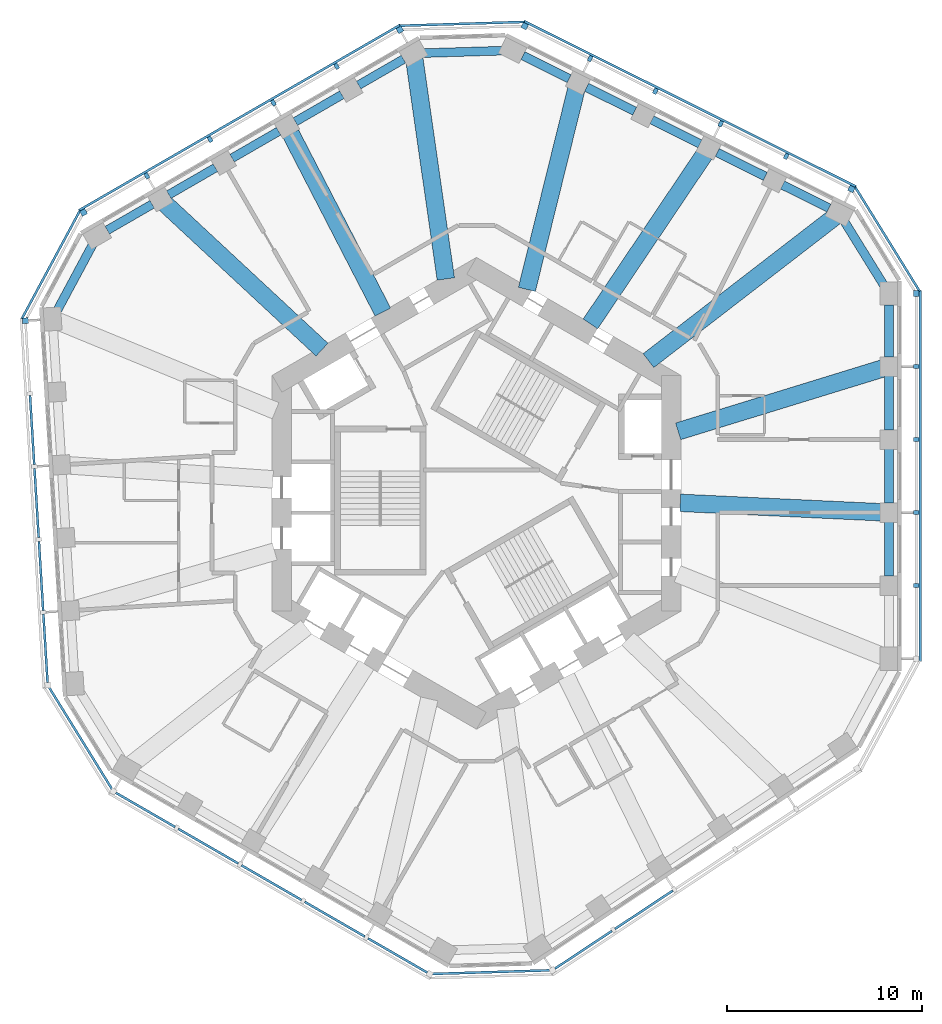
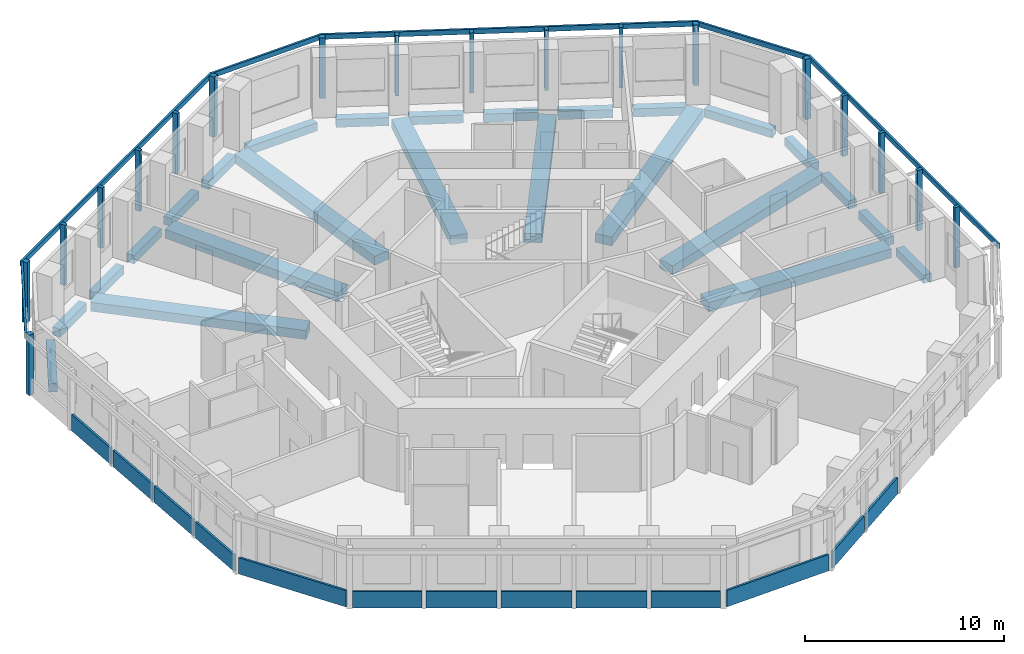
# One storey, part 2 of 11: 25 beams, 24 members, 13 plates, 11 elements without a shape of their own.
"""IFC4 building model written with IfcOpenShell, lengths in metres."""

from ifc_helpers import new_model, si_unit, direction, frame, origin, origin_2d, place, context, subcontext, project, spatial, rectangle, extrude, material, layer, layer_set, material_profile, profile_set, type_object, element, aggregate, save


model = new_model("IFC4")

# Units and contexts
model_context = context("Model", 3, precision=1e-05, world=origin(), true_north=direction((0.0, 1.0)))
body_context = subcontext(model_context, "Body", "Model", "MODEL_VIEW")
ifc_project = project(units=[si_unit("LENGTHUNIT", "METRE"), si_unit("AREAUNIT", "SQUARE_METRE"), si_unit("VOLUMEUNIT", "CUBIC_METRE"), si_unit("PLANEANGLEUNIT", "RADIAN"), si_unit("MASSUNIT", "GRAM", prefix="KILO")], contexts=[model_context])

# Site, building, storey
site_placement = place(None, origin())
site = spatial("IfcSite", under=ifc_project, at=site_placement, CompositionType="ELEMENT")
building_placement = place(site_placement, origin())
building = spatial("IfcBuilding", under=site, at=building_placement, Name="Vanh Sen Convention Tower", CompositionType="ELEMENT")
storey_placement = place(building_placement, frame((0.0, 0.0, 172.5)))
storey = spatial("IfcBuildingStorey", under=building, at=storey_placement, Name="L42", CompositionType="ELEMENT", Elevation=172.5)

# Curtain wall, member
ifc_material_1 = material(Name="Concrete C50/60", Category="concrete")
curtain_wall_type = type_object("IfcCurtainWallType", Name="Outer skin office zone", PredefinedType="NOTDEFINED", material=ifc_material_1)
curtain_wall_1_placement = place(storey_placement, origin())
curtain_wall_1 = element("IfcCurtainWall", 1, at=curtain_wall_1_placement, inside=storey, type_object=curtain_wall_type, Name="OUTER SKIN E L42", PredefinedType="NOTDEFINED")
ifc_material_profile_1 = material_profile(ifc_material_1, rectangle(XDim=0.300048828125, YDim=0.300048828125, at=origin_2d()), Name="Outer skin precast corner fin 300 x 300")
ifc_profile_set_1 = profile_set([ifc_material_profile_1], Name="Concrete C50/60")
member_type_1 = type_object("IfcMemberType", Name="Outer skin precast corner fin 300 x 300", PredefinedType="MULLION", material=ifc_profile_set_1)
member_1_placement = place(storey_placement, frame((22.60009765625, 10.26953125, 0.0), z_axis=(0.0, 0.0, 1.0), x_axis=(0.0, 1.0, 0.0)))
member_1 = element("IfcMember", 2, at=member_1_placement, type_object=member_type_1, Name="OUTER SKIN CORNER FIN 6 E L42", PredefinedType="MULLION", context=body_context, shape_type="SweptSolid", body=[
    extrude(rectangle(XDim=0.300048828125, YDim=0.300048828125, at=origin_2d()), origin(), (0.0, 0.0, 1.0), 3.699951171875),
])

# Curtain wall, members
curtain_wall_2_placement = place(storey_placement, origin())
curtain_wall_2 = element("IfcCurtainWall", 3, at=curtain_wall_2_placement, inside=storey, type_object=curtain_wall_type, Name="OUTER SKIN NE L42", PredefinedType="NOTDEFINED")
member_2_placement = place(storey_placement, frame((19.274658203125, 15.643310546875, 0.0), z_axis=(0.0, 0.0, 1.0), x_axis=(-0.894934361602, 0.44619781311, 0.0)))
member_2 = element("IfcMember", 4, at=member_2_placement, type_object=member_type_1, Name="OUTER SKIN CORNER FIN 1 NE L42", PredefinedType="MULLION", context=body_context, shape_type="SweptSolid", body=[
    extrude(rectangle(XDim=0.300048828125, YDim=0.300048828125, at=origin_2d()), origin(), (0.0, 0.0, 1.0), 3.699951171875),
])
member_3_placement = place(storey_placement, frame((2.476318359375, 24.0185546875, 0.0), z_axis=(0.0, 0.0, 1.0), x_axis=(-0.894934361602, 0.44619781311, 0.0)))
member_3 = element("IfcMember", 5, at=member_3_placement, type_object=member_type_1, Name="OUTER SKIN CORNER FIN 6 NE L42", PredefinedType="MULLION", context=body_context, shape_type="SweptSolid", body=[
    extrude(rectangle(XDim=0.300048828125, YDim=0.300048828125, at=origin_2d()), origin(), (0.0, 0.0, 1.0), 3.699951171875),
])

curtain_wall_3_placement = place(storey_placement, origin())
curtain_wall_3 = element("IfcCurtainWall", 6, at=curtain_wall_3_placement, inside=storey, type_object=curtain_wall_type, Name="OUTER SKIN NW L42", PredefinedType="NOTDEFINED")
member_4_placement = place(storey_placement, frame((-3.93798828125, 23.822509765625, 0.0), z_axis=(0.0, 0.0, 1.0), x_axis=(-0.866025403784, -0.5, 0.0)))
member_4 = element("IfcMember", 7, at=member_4_placement, type_object=member_type_1, Name="OUTER SKIN CORNER FIN 1 NW L42", PredefinedType="MULLION", context=body_context, shape_type="SweptSolid", body=[
    extrude(rectangle(XDim=0.300048828125, YDim=0.300048828125, at=origin_2d()), origin(), (0.0, 0.0, 1.0), 3.699951171875),
])
member_5_placement = place(storey_placement, frame((-20.193603515625, 14.4375, 0.0), z_axis=(0.0, 0.0, 1.0), x_axis=(-0.866025403784, -0.5, 0.0)))
member_5 = element("IfcMember", 8, at=member_5_placement, type_object=member_type_1, Name="OUTER SKIN CORNER FIN 6 NW L42", PredefinedType="MULLION", context=body_context, shape_type="SweptSolid", body=[
    extrude(rectangle(XDim=0.300048828125, YDim=0.300048828125, at=origin_2d()), origin(), (0.0, 0.0, 1.0), 3.699951171875),
])

# Curtain wall, member
curtain_wall_4_placement = place(storey_placement, origin())
curtain_wall_4 = element("IfcCurtainWall", 9, at=curtain_wall_4_placement, inside=storey, type_object=curtain_wall_type, Name="OUTER SKIN W L42", PredefinedType="NOTDEFINED")
member_6_placement = place(storey_placement, frame((-23.184814453125, 8.87060546875, 0.0), z_axis=(0.0, 0.0, 1.0), x_axis=(0.061048539535, -0.998134798422, 0.0)))
member_6 = element("IfcMember", 10, at=member_6_placement, type_object=member_type_1, Name="OUTER SKIN CORNER FIN 1 W L42", PredefinedType="MULLION", context=body_context, shape_type="SweptSolid", body=[
    extrude(rectangle(XDim=0.300048828125, YDim=0.300048828125, at=origin_2d()), origin(), (0.0, 0.0, 1.0), 3.699951171875),
])

# Member
ifc_material_profile_2 = material_profile(ifc_material_1, rectangle(XDim=0.199951171875, YDim=0.300048828125, at=origin_2d()), Name="Outer skin precast fin 200 x 300")
ifc_profile_set_2 = profile_set([ifc_material_profile_2], Name="Concrete C50/60")
member_type_2 = type_object("IfcMemberType", Name="Outer skin precast fin 200 x 300", PredefinedType="MULLION", material=ifc_profile_set_2)
member_7_placement = place(storey_placement, frame((22.60009765625, -4.746826171875, 0.0), z_axis=(0.0, 0.0, 1.0), x_axis=(0.0, 1.0, 0.0)))
member_7 = element("IfcMember", 11, at=member_7_placement, type_object=member_type_2, Name="OUTER SKIN fin 2 E L42", PredefinedType="MULLION", context=body_context, shape_type="SweptSolid", body=[
    extrude(rectangle(XDim=0.199951171875, YDim=0.300048828125, at=origin_2d()), origin(), (0.0, 0.0, 1.0), 3.699951171875),
])

member_8_placement = place(storey_placement, frame((22.60009765625, -0.992919921875, 0.0), z_axis=(0.0, 0.0, 1.0), x_axis=(0.0, 1.0, 0.0)))
member_8 = element("IfcMember", 12, at=member_8_placement, type_object=member_type_2, Name="OUTER SKIN fin 3 E L42", PredefinedType="MULLION", context=body_context, shape_type="SweptSolid", body=[
    extrude(rectangle(XDim=0.199951171875, YDim=0.300048828125, at=origin_2d()), origin(), (0.0, 0.0, 1.0), 3.699951171875),
])

member_9_placement = place(storey_placement, frame((22.60009765625, 2.76123046875, 0.0), z_axis=(0.0, 0.0, 1.0), x_axis=(0.0, 1.0, 0.0)))
member_9 = element("IfcMember", 13, at=member_9_placement, type_object=member_type_2, Name="OUTER SKIN fin 4 E L42", PredefinedType="MULLION", context=body_context, shape_type="SweptSolid", body=[
    extrude(rectangle(XDim=0.199951171875, YDim=0.300048828125, at=origin_2d()), origin(), (0.0, 0.0, 1.0), 3.699951171875),
])

member_10_placement = place(storey_placement, frame((22.60009765625, 6.515380859375, 0.0), z_axis=(0.0, 0.0, 1.0), x_axis=(0.0, 1.0, 0.0)))
member_10 = element("IfcMember", 14, at=member_10_placement, type_object=member_type_2, Name="OUTER SKIN fin 5 E L42", PredefinedType="MULLION", context=body_context, shape_type="SweptSolid", body=[
    extrude(rectangle(XDim=0.199951171875, YDim=0.300048828125, at=origin_2d()), origin(), (0.0, 0.0, 1.0), 3.699951171875),
])

member_11_placement = place(storey_placement, frame((15.9150390625, 17.318359375, 0.0), z_axis=(0.0, 0.0, 1.0), x_axis=(-0.894934361602, 0.44619781311, 0.0)))
member_11 = element("IfcMember", 15, at=member_11_placement, type_object=member_type_2, Name="OUTER SKIN fin 2 NE L42", PredefinedType="MULLION", context=body_context, shape_type="SweptSolid", body=[
    extrude(rectangle(XDim=0.199951171875, YDim=0.300048828125, at=origin_2d()), origin(), (0.0, 0.0, 1.0), 3.699951171875),
])

member_12_placement = place(storey_placement, frame((12.555419921875, 18.993408203125, 0.0), z_axis=(0.0, 0.0, 1.0), x_axis=(-0.894934361602, 0.44619781311, 0.0)))
member_12 = element("IfcMember", 16, at=member_12_placement, type_object=member_type_2, Name="OUTER SKIN fin 3 NE L42", PredefinedType="MULLION", context=body_context, shape_type="SweptSolid", body=[
    extrude(rectangle(XDim=0.199951171875, YDim=0.300048828125, at=origin_2d()), origin(), (0.0, 0.0, 1.0), 3.699951171875),
])

member_13_placement = place(storey_placement, frame((9.195556640625, 20.66845703125, 0.0), z_axis=(0.0, 0.0, 1.0), x_axis=(-0.894934361602, 0.44619781311, 0.0)))
member_13 = element("IfcMember", 17, at=member_13_placement, type_object=member_type_2, Name="OUTER SKIN fin 4 NE L42", PredefinedType="MULLION", context=body_context, shape_type="SweptSolid", body=[
    extrude(rectangle(XDim=0.199951171875, YDim=0.300048828125, at=origin_2d()), origin(), (0.0, 0.0, 1.0), 3.699951171875),
])

member_14_placement = place(storey_placement, frame((5.8359375, 22.343505859375, 0.0), z_axis=(0.0, 0.0, 1.0), x_axis=(-0.894934361602, 0.44619781311, 0.0)))
member_14 = element("IfcMember", 18, at=member_14_placement, type_object=member_type_2, Name="OUTER SKIN fin 5 NE L42", PredefinedType="MULLION", context=body_context, shape_type="SweptSolid", body=[
    extrude(rectangle(XDim=0.199951171875, YDim=0.300048828125, at=origin_2d()), origin(), (0.0, 0.0, 1.0), 3.699951171875),
])

member_15_placement = place(storey_placement, frame((-7.189208984375, 21.945556640625, 0.0), z_axis=(0.0, 0.0, 1.0), x_axis=(-0.866025403784, -0.5, 0.0)))
member_15 = element("IfcMember", 19, at=member_15_placement, type_object=member_type_2, Name="OUTER SKIN fin 2 NW L42", PredefinedType="MULLION", context=body_context, shape_type="SweptSolid", body=[
    extrude(rectangle(XDim=0.199951171875, YDim=0.300048828125, at=origin_2d()), origin(), (0.0, 0.0, 1.0), 3.699951171875),
])

member_16_placement = place(storey_placement, frame((-10.440185546875, 20.068603515625, 0.0), z_axis=(0.0, 0.0, 1.0), x_axis=(-0.866025403784, -0.5, 0.0)))
member_16 = element("IfcMember", 20, at=member_16_placement, type_object=member_type_2, Name="OUTER SKIN fin 3 NW L42", PredefinedType="MULLION", context=body_context, shape_type="SweptSolid", body=[
    extrude(rectangle(XDim=0.199951171875, YDim=0.300048828125, at=origin_2d()), origin(), (0.0, 0.0, 1.0), 3.699951171875),
])

member_17_placement = place(storey_placement, frame((-13.69140625, 18.19140625, 0.0), z_axis=(0.0, 0.0, 1.0), x_axis=(-0.866025403784, -0.5, 0.0)))
member_17 = element("IfcMember", 21, at=member_17_placement, type_object=member_type_2, Name="OUTER SKIN fin 4 NW L42", PredefinedType="MULLION", context=body_context, shape_type="SweptSolid", body=[
    extrude(rectangle(XDim=0.199951171875, YDim=0.300048828125, at=origin_2d()), origin(), (0.0, 0.0, 1.0), 3.699951171875),
])

member_18_placement = place(storey_placement, frame((-16.9423828125, 16.314453125, 0.0), z_axis=(0.0, 0.0, 1.0), x_axis=(-0.866025403784, -0.5, 0.0)))
member_18 = element("IfcMember", 22, at=member_18_placement, type_object=member_type_2, Name="OUTER SKIN fin 5 NW L42", PredefinedType="MULLION", context=body_context, shape_type="SweptSolid", body=[
    extrude(rectangle(XDim=0.199951171875, YDim=0.300048828125, at=origin_2d()), origin(), (0.0, 0.0, 1.0), 3.699951171875),
])

ifc_material_profile_3 = material_profile(ifc_material_1, rectangle(XDim=0.1201171875, YDim=0.300048828125, at=origin_2d()), Name="Outer skin precast spandrel band 300 x 120")
ifc_profile_set_3 = profile_set([ifc_material_profile_3], Name="Concrete C50/60")
member_type_3 = type_object("IfcMemberType", Name="Outer skin precast spandrel band 300 x 120", PredefinedType="USERDEFINED", material=ifc_profile_set_3)
member_19_placement = place(storey_placement, frame((22.81005859375, -8.65087890625, 3.550048828125), z_axis=(0.0, 1.0, 0.0), x_axis=(-1.0, 0.0, 0.0)))
member_19 = element("IfcMember", 23, at=member_19_placement, type_object=member_type_3, Name="OUTER SKIN spandrel band E L42", ObjectType="TRANSOM", PredefinedType="USERDEFINED", context=body_context, shape_type="SweptSolid", body=[
    extrude(rectangle(XDim=0.1201171875, YDim=0.300048828125, at=origin_2d()), origin(), (0.0, 0.0, 1.0), 19.0703125),
])

aggregate(curtain_wall_1, [member_7, member_8, member_9, member_10, member_1, member_19])

# Curtain wall, member
curtain_wall_5_placement = place(storey_placement, origin())
curtain_wall_5 = element("IfcCurtainWall", 24, at=curtain_wall_5_placement, inside=storey, type_object=curtain_wall_type, Name="OUTER SKIN CH1 L42", PredefinedType="NOTDEFINED")
member_20_placement = place(storey_placement, frame((22.778564453125, 10.3798828125, 3.550048828125), z_axis=(-0.526173726926, 0.850377098171, 0.0), x_axis=(-0.850377098171, -0.526173726926, 0.0)))
member_20 = element("IfcMember", 25, at=member_20_placement, type_object=member_type_3, Name="OUTER SKIN spandrel band CH1 L42", ObjectType="TRANSOM", PredefinedType="USERDEFINED", context=body_context, shape_type="SweptSolid", body=[
    extrude(rectangle(XDim=0.1201171875, YDim=0.300048828125, at=origin_2d()), origin(), (0.0, 0.0, 1.0), 6.319580078125),
])
aggregate(curtain_wall_5, [member_20])

# Member
member_21_placement = place(storey_placement, frame((19.502685546875, 15.764404296875, 3.550048828125), z_axis=(-0.894941234474, 0.446184027996, 0.0), x_axis=(-0.446184027996, -0.894941234474, 0.0)))
member_21 = element("IfcMember", 26, at=member_21_placement, type_object=member_type_3, Name="OUTER SKIN spandrel band NE L42", ObjectType="TRANSOM", PredefinedType="USERDEFINED", context=body_context, shape_type="SweptSolid", body=[
    extrude(rectangle(XDim=0.1201171875, YDim=0.300048828125, at=origin_2d()), origin(), (0.0, 0.0, 1.0), 19.07080078125),
])

aggregate(curtain_wall_2, [member_2, member_11, member_12, member_13, member_14, member_3, member_21])

# Curtain wall, member
curtain_wall_6_placement = place(storey_placement, origin())
curtain_wall_6 = element("IfcCurtainWall", 27, at=curtain_wall_6_placement, inside=storey, type_object=curtain_wall_type, Name="OUTER SKIN CH2 L42", PredefinedType="NOTDEFINED")
member_22_placement = place(storey_placement, frame((2.4697265625, 24.228515625, 3.550048828125), z_axis=(-0.999533221695, -0.030550592913, 0.0), x_axis=(0.030550592913, -0.999533221695, 0.0)))
member_22 = element("IfcMember", 28, at=member_22_placement, type_object=member_type_3, Name="OUTER SKIN spandrel band CH2 L42", ObjectType="TRANSOM", PredefinedType="USERDEFINED", context=body_context, shape_type="SweptSolid", body=[
    extrude(rectangle(XDim=0.1201171875, YDim=0.300048828125, at=origin_2d()), origin(), (0.0, 0.0, 1.0), 6.4169921875),
])
aggregate(curtain_wall_6, [member_22])

# Member
member_23_placement = place(storey_placement, frame((-3.9130859375, 24.07958984375, 3.550048828125), z_axis=(-0.866023136587, -0.500003926881, 0.0), x_axis=(0.500003926881, -0.866023136587, 0.0)))
member_23 = element("IfcMember", 29, at=member_23_placement, type_object=member_type_3, Name="OUTER SKIN spandrel band NW L42", ObjectType="TRANSOM", PredefinedType="USERDEFINED", context=body_context, shape_type="SweptSolid", body=[
    extrude(rectangle(XDim=0.1201171875, YDim=0.300048828125, at=origin_2d()), origin(), (0.0, 0.0, 1.0), 19.070556640625),
])

aggregate(curtain_wall_3, [member_4, member_15, member_16, member_17, member_18, member_5, member_23])

# Curtain wall, member
curtain_wall_7_placement = place(storey_placement, origin())
curtain_wall_7 = element("IfcCurtainWall", 30, at=curtain_wall_7_placement, inside=storey, type_object=curtain_wall_type, Name="OUTER SKIN CH3 L42", PredefinedType="NOTDEFINED")
member_24_placement = place(storey_placement, frame((-20.378662109375, 14.536865234375, 3.550048828125), z_axis=(-0.47333707755, -0.880881383057, 0.0), x_axis=(0.880881383057, -0.47333707755, 0.0)))
member_24 = element("IfcMember", 31, at=member_24_placement, type_object=member_type_3, Name="OUTER SKIN spandrel band CH3 L42", ObjectType="TRANSOM", PredefinedType="USERDEFINED", context=body_context, shape_type="SweptSolid", body=[
    extrude(rectangle(XDim=0.1201171875, YDim=0.300048828125, at=origin_2d()), origin(), (0.0, 0.0, 1.0), 6.3193359375),
])
aggregate(curtain_wall_7, [member_24])

# Beams
ifc_material_2 = material(Name="Concrete C50/60", Category="concrete")
ifc_material_profile_4 = material_profile(ifc_material_2, rectangle(XDim=0.89990234375, YDim=0.550048828125, at=origin_2d()), Name="RC 900X550")
ifc_profile_set_4 = profile_set([ifc_material_profile_4], Name="Concrete C50/60")
beam_type_1 = type_object("IfcBeamType", Name="Radial floor beam 900 x 550", PredefinedType="BEAM", material=ifc_profile_set_4)
beam_1_placement = place(storey_placement, frame((20.77587890625, -0.972900390625, -0.554931640625), z_axis=(-0.998905318596, 0.046777820399, 0.0), x_axis=(-0.046777820399, -0.998905318596, 0.0)))
element("IfcBeam", 32, at=beam_1_placement, inside=storey, type_object=beam_type_1, Name="Radial beam 02 L42", PredefinedType="BEAM", context=body_context, shape_type="SweptSolid", body=[
    extrude(rectangle(XDim=0.89990234375, YDim=0.550048828125, at=origin_2d()), origin(), (0.0, 0.0, 1.0), 10.31298828125),
])
beam_2_placement = place(storey_placement, frame((20.9775390625, 6.447021484375, -0.554931640625), z_axis=(-0.955874982074, -0.29377375418, 0.0), x_axis=(0.29377375418, -0.955874982074, 0.0)))
element("IfcBeam", 33, at=beam_2_placement, inside=storey, type_object=beam_type_1, Name="Radial beam 03 L42", PredefinedType="BEAM", context=body_context, shape_type="SweptSolid", body=[
    extrude(rectangle(XDim=0.89990234375, YDim=0.550048828125, at=origin_2d()), origin(), (0.0, 0.0, 1.0), 11.1044921875),
])
beam_3_placement = place(storey_placement, frame((18.4306640625, 14.22119140625, -0.554931640625), z_axis=(-0.791711533114, -0.610895120568, 0.0), x_axis=(0.610895120568, -0.791711533114, 0.0)))
element("IfcBeam", 34, at=beam_3_placement, inside=storey, type_object=beam_type_1, Name="Radial beam 04 L42", PredefinedType="BEAM", context=body_context, shape_type="SweptSolid", body=[
    extrude(rectangle(XDim=0.89990234375, YDim=0.550048828125, at=origin_2d()), origin(), (0.0, 0.0, 1.0), 12.11669921875),
])
beam_4_placement = place(storey_placement, frame((11.712890625, 17.416748046875, -0.554931640625), z_axis=(-0.558049212229, -0.829807855308, 0.0), x_axis=(0.829807855308, -0.558049212229, 0.0)))
element("IfcBeam", 35, at=beam_4_placement, inside=storey, type_object=beam_type_1, Name="Radial beam 05 L42", PredefinedType="BEAM", context=body_context, shape_type="SweptSolid", body=[
    extrude(rectangle(XDim=0.89990234375, YDim=0.550048828125, at=origin_2d()), origin(), (0.0, 0.0, 1.0), 10.500244140625),
])
beam_5_placement = place(storey_placement, frame((5.1455078125, 20.824951171875, -0.554931640625), z_axis=(-0.239866381143, -0.970805912218, 0.0), x_axis=(0.970805912218, -0.239866381143, 0.0)))
element("IfcBeam", 36, at=beam_5_placement, inside=storey, type_object=beam_type_1, Name="Radial beam 06 L42", PredefinedType="BEAM", context=body_context, shape_type="SweptSolid", body=[
    extrude(rectangle(XDim=0.89990234375, YDim=0.550048828125, at=origin_2d()), origin(), (0.0, 0.0, 1.0), 10.656494140625),
])
beam_6_placement = place(storey_placement, frame((-3.195556640625, 22.31396484375, -0.554931640625), z_axis=(0.141765709165, -0.989900239269, 0.0), x_axis=(0.989900239269, 0.141765709165, 0.0)))
element("IfcBeam", 37, at=beam_6_placement, inside=storey, type_object=beam_type_1, Name="Radial beam 07 L42", PredefinedType="BEAM", context=body_context, shape_type="SweptSolid", body=[
    extrude(rectangle(XDim=0.89990234375, YDim=0.550048828125, at=origin_2d()), origin(), (0.0, 0.0, 1.0), 11.414306640625),
])
beam_7_placement = place(storey_placement, frame((-9.54541015625, 18.47900390625, -0.554931640625), z_axis=(0.458935346364, -0.888469666257, 0.0), x_axis=(0.888469666257, 0.458935346364, 0.0)))
element("IfcBeam", 38, at=beam_7_placement, inside=storey, type_object=beam_type_1, Name="Radial beam 08 L42", PredefinedType="BEAM", context=body_context, shape_type="SweptSolid", body=[
    extrude(rectangle(XDim=0.89990234375, YDim=0.550048828125, at=origin_2d()), origin(), (0.0, 0.0, 1.0), 10.313232421875),
])
beam_8_placement = place(storey_placement, frame((-16.072021484375, 14.943603515625, -0.554931640625), z_axis=(0.732340727094, -0.680938366843, 0.0), x_axis=(0.680938366843, 0.732340727094, 0.0)))
element("IfcBeam", 39, at=beam_8_placement, inside=storey, type_object=beam_type_1, Name="Radial beam 09 L42", PredefinedType="BEAM", context=body_context, shape_type="SweptSolid", body=[
    extrude(rectangle(XDim=0.89990234375, YDim=0.550048828125, at=origin_2d()), origin(), (0.0, 0.0, 1.0), 11.1044921875),
])
ifc_material_profile_5 = material_profile(ifc_material_2, rectangle(XDim=0.449951171875, YDim=0.5, at=origin_2d()), Name="RC 450X500")
ifc_profile_set_5 = profile_set([ifc_material_profile_5], Name="Concrete C50/60")
beam_type_2 = type_object("IfcBeamType", Name="Spandrel beam 450 x 500", PredefinedType="SPANDREL", material=ifc_profile_set_5)
for number, where, z_axis, x_axis, name in (
    (40, (21.199951171875, -4.251953125, -0.530029296875), (0.0, 1.0, 0.0), (-1.0, 0.0, 0.0), "Spandrel beam 02 L42"),
    (41, (21.199951171875, -0.497802734375, -0.530029296875), (0.0, 1.0, 0.0), (-1.0, 0.0, 0.0), "Spandrel beam 03 L42"),
    (42, (21.199951171875, 3.25634765625, -0.530029296875), (0.0, 1.0, 0.0), (-1.0, 0.0, 0.0), "Spandrel beam 04 L42"),
):
    element("IfcBeam", number, at=place(storey_placement, frame(where, z_axis=z_axis, x_axis=x_axis)), inside=storey, type_object=beam_type_2, Name=name, PredefinedType="SPANDREL", context=body_context, shape_type="SweptSolid", body=[
        extrude(rectangle(XDim=0.449951171875, YDim=0.5, at=origin_2d()), origin(), (0.0, 0.0, 1.0), 2.76416015625),
    ])
beam_9_placement = place(storey_placement, frame((21.199951171875, 7.010498046875, -0.530029296875), z_axis=(0.0, 1.0, 0.0), x_axis=(-1.0, 0.0, 0.0)))
element("IfcBeam", 43, at=beam_9_placement, inside=storey, type_object=beam_type_2, Name="Spandrel beam 05 L42", PredefinedType="SPANDREL", context=body_context, shape_type="SweptSolid", body=[
    extrude(rectangle(XDim=0.449951171875, YDim=0.5, at=origin_2d()), origin(), (0.0, 0.0, 1.0), 2.6640625),
])
beam_10_placement = place(storey_placement, frame((20.944091796875, 10.683349609375, -0.530029296875), z_axis=(-0.526220063476, 0.850348425526, 0.0), x_axis=(-0.850348425526, -0.526220063476, 0.0)))
element("IfcBeam", 44, at=beam_10_placement, inside=storey, type_object=beam_type_2, Name="Spandrel beam 06 L42", PredefinedType="SPANDREL", context=body_context, shape_type="SweptSolid", body=[
    extrude(rectangle(XDim=0.449951171875, YDim=0.5, at=origin_2d()), origin(), (0.0, 0.0, 1.0), 3.873046875),
])
beam_11_placement = place(storey_placement, frame((18.117431640625, 14.656005859375, -0.530029296875), z_axis=(-0.894958126718, 0.446150144482, 0.0), x_axis=(-0.446150144482, -0.894958126718, 0.0)))
element("IfcBeam", 45, at=beam_11_placement, inside=storey, type_object=beam_type_2, Name="Spandrel beam 07 L42", PredefinedType="SPANDREL", context=body_context, shape_type="SweptSolid", body=[
    extrude(rectangle(XDim=0.449951171875, YDim=0.5, at=origin_2d()), origin(), (0.0, 0.0, 1.0), 2.663818359375),
])
beam_12_placement = place(storey_placement, frame((14.847412109375, 16.286376953125, -0.530029296875), z_axis=(-0.894974121341, 0.446118058511, 0.0), x_axis=(-0.446118058511, -0.894974121341, 0.0)))
element("IfcBeam", 46, at=beam_12_placement, inside=storey, type_object=beam_type_2, Name="Spandrel beam 08 L42", PredefinedType="SPANDREL", context=body_context, shape_type="SweptSolid", body=[
    extrude(rectangle(XDim=0.449951171875, YDim=0.5, at=origin_2d()), origin(), (0.0, 0.0, 1.0), 2.76416015625),
])
beam_13_placement = place(storey_placement, frame((11.487548828125, 17.96142578125, -0.530029296875), z_axis=(-0.894956541152, 0.446153325045, 0.0), x_axis=(-0.446153325045, -0.894956541152, 0.0)))
element("IfcBeam", 47, at=beam_13_placement, inside=storey, type_object=beam_type_2, Name="Spandrel beam 09 L42", PredefinedType="SPANDREL", context=body_context, shape_type="SweptSolid", body=[
    extrude(rectangle(XDim=0.449951171875, YDim=0.5, at=origin_2d()), origin(), (0.0, 0.0, 1.0), 2.763916015625),
])
beam_14_placement = place(storey_placement, frame((8.1279296875, 19.636474609375, -0.530029296875), z_axis=(-0.89492127077, 0.446224068292, 0.0), x_axis=(-0.446224068292, -0.89492127077, 0.0)))
element("IfcBeam", 48, at=beam_14_placement, inside=storey, type_object=beam_type_2, Name="Spandrel beam 10 L42", PredefinedType="SPANDREL", context=body_context, shape_type="SweptSolid", body=[
    extrude(rectangle(XDim=0.449951171875, YDim=0.5, at=origin_2d()), origin(), (0.0, 0.0, 1.0), 2.76416015625),
])
beam_15_placement = place(storey_placement, frame((4.768310546875, 21.3115234375, -0.530029296875), z_axis=(-0.894939776695, 0.446186951948, 0.0), x_axis=(-0.446186951948, -0.894939776695, 0.0)))
element("IfcBeam", 49, at=beam_15_placement, inside=storey, type_object=beam_type_2, Name="Spandrel beam 11 L42", PredefinedType="SPANDREL", context=body_context, shape_type="SweptSolid", body=[
    extrude(rectangle(XDim=0.449951171875, YDim=0.5, at=origin_2d()), origin(), (0.0, 0.0, 1.0), 2.6640625),
])
beam_16_placement = place(storey_placement, frame((1.32470703125, 22.74951171875, -0.530029296875), z_axis=(-0.999533715833, -0.030534421783, 0.0), x_axis=(0.030534421783, -0.999533715833, 0.0)))
element("IfcBeam", 50, at=beam_16_placement, inside=storey, type_object=beam_type_2, Name="Spandrel beam 12 L42", PredefinedType="SPANDREL", context=body_context, shape_type="SweptSolid", body=[
    extrude(rectangle(XDim=0.449951171875, YDim=0.5, at=origin_2d()), origin(), (0.0, 0.0, 1.0), 4.037841796875),
])
beam_17_placement = place(storey_placement, frame((-3.753173828125, 22.312744140625, -0.530029296875), z_axis=(-0.866023818221, -0.500002746266, 0.0), x_axis=(0.500002746266, -0.866023818221, 0.0)))
element("IfcBeam", 51, at=beam_17_placement, inside=storey, type_object=beam_type_2, Name="Spandrel beam 13 L42", PredefinedType="SPANDREL", context=body_context, shape_type="SweptSolid", body=[
    extrude(rectangle(XDim=0.449951171875, YDim=0.5, at=origin_2d()), origin(), (0.0, 0.0, 1.0), 2.6640625),
])
for number, where, z_axis, x_axis, name in (
    (52, (-6.917724609375, 20.485595703125, -0.530029296875), (-0.866022320763, -0.500005339912, 0.0), (0.500005339912, -0.866022320763, 0.0), "Spandrel beam 14 L42"),
    (53, (-10.1689453125, 18.608642578125, -0.530029296875), (-0.866022320763, -0.500005339912, 0.0), (0.500005339912, -0.866022320763, 0.0), "Spandrel beam 15 L42"),
):
    element("IfcBeam", number, at=place(storey_placement, frame(where, z_axis=z_axis, x_axis=x_axis)), inside=storey, type_object=beam_type_2, Name=name, PredefinedType="SPANDREL", context=body_context, shape_type="SweptSolid", body=[
        extrude(rectangle(XDim=0.449951171875, YDim=0.5, at=origin_2d()), origin(), (0.0, 0.0, 1.0), 2.76416015625),
    ])
beam_18_placement = place(storey_placement, frame((-13.420166015625, 16.731689453125, -0.530029296875), z_axis=(-0.866000236617, -0.500043588279, 0.0), x_axis=(0.500043588279, -0.866000236617, 0.0)))
element("IfcBeam", 54, at=beam_18_placement, inside=storey, type_object=beam_type_2, Name="Spandrel beam 16 L42", PredefinedType="SPANDREL", context=body_context, shape_type="SweptSolid", body=[
    extrude(rectangle(XDim=0.449951171875, YDim=0.5, at=origin_2d()), origin(), (0.0, 0.0, 1.0), 2.763916015625),
])
beam_19_placement = place(storey_placement, frame((-16.671142578125, 14.8544921875, -0.530029296875), z_axis=(-0.866046726429, -0.499963066278, 0.0), x_axis=(0.499963066278, -0.866046726429, 0.0)))
element("IfcBeam", 55, at=beam_19_placement, inside=storey, type_object=beam_type_2, Name="Spandrel beam 17 L42", PredefinedType="SPANDREL", context=body_context, shape_type="SweptSolid", body=[
    extrude(rectangle(XDim=0.449951171875, YDim=0.5, at=origin_2d()), origin(), (0.0, 0.0, 1.0), 2.664306640625),
])
beam_20_placement = place(storey_placement, frame((-19.72412109375, 12.79638671875, -0.530029296875), z_axis=(-0.473295157781, -0.880903907144, 0.0), x_axis=(0.880903907144, -0.473295157781, 0.0)))
element("IfcBeam", 56, at=beam_20_placement, inside=storey, type_object=beam_type_2, Name="Spandrel beam 18 L42", PredefinedType="SPANDREL", context=body_context, shape_type="SweptSolid", body=[
    extrude(rectangle(XDim=0.449951171875, YDim=0.5, at=origin_2d()), origin(), (0.0, 0.0, 1.0), 3.872802734375),
])

# Plate
ifc_layer = layer(ifc_material_1, 0.1201171875)
ifc_layer_set = layer_set([ifc_layer], Name="Concrete C50/60")
plate_type = type_object("IfcPlateType", Name="Outer skin precast screen panel 120", PredefinedType="CURTAIN_PANEL", material=ifc_layer_set)
plate_1_placement = place(storey_placement, frame((-22.841064453125, 3.25, 0.0), z_axis=(0.0, 0.0, 1.0), x_axis=(0.061052023682, -0.998134585316, 0.0)))
plate_1 = element("IfcPlate", 57, at=plate_1_placement, type_object=plate_type, Name="OUTER SKIN screen panel W-2", PredefinedType="CURTAIN_PANEL", context=body_context, shape_type="SweptSolid", body=[
    extrude(rectangle(XDim=3.55419921875, YDim=0.1201171875, at=origin_2d()), origin(), (0.0, 0.0, 1.0), 1.0),
])

plate_2_placement = place(storey_placement, frame((-22.61181640625, -0.4970703125, 0.0), z_axis=(0.0, 0.0, 1.0), x_axis=(0.061053765756, -0.998134478759, 0.0)))
plate_2 = element("IfcPlate", 58, at=plate_2_placement, type_object=plate_type, Name="OUTER SKIN screen panel W-3", PredefinedType="CURTAIN_PANEL", context=body_context, shape_type="SweptSolid", body=[
    extrude(rectangle(XDim=3.55419921875, YDim=0.1201171875, at=origin_2d()), origin(), (0.0, 0.0, 1.0), 1.0),
])

plate_3_placement = place(storey_placement, frame((-22.382568359375, -4.244140625, 0.0), z_axis=(0.0, 0.0, 1.0), x_axis=(0.061025892559, -0.998136183312, 0.0)))
plate_3 = element("IfcPlate", 59, at=plate_3_placement, type_object=plate_type, Name="OUTER SKIN screen panel W-4", PredefinedType="CURTAIN_PANEL", context=body_context, shape_type="SweptSolid", body=[
    extrude(rectangle(XDim=3.55419921875, YDim=0.1201171875, at=origin_2d()), origin(), (0.0, 0.0, 1.0), 1.0),
])

plate_4_placement = place(storey_placement, frame((-22.155029296875, -7.96630859375, 0.0), z_axis=(0.0, 0.0, 1.0), x_axis=(0.061053765756, -0.998134478759, 0.0)))
plate_4 = element("IfcPlate", 60, at=plate_4_placement, type_object=plate_type, Name="OUTER SKIN screen panel W-5", PredefinedType="CURTAIN_PANEL", context=body_context, shape_type="SweptSolid", body=[
    extrude(rectangle(XDim=3.504150390625, YDim=0.1201171875, at=origin_2d()), origin(), (0.0, 0.0, 1.0), 1.0),
])

aggregate(curtain_wall_4, [member_6, plate_1, plate_2, plate_3, plate_4])

# Curtain wall, plate
curtain_wall_8_placement = place(storey_placement, origin())
curtain_wall_8 = element("IfcCurtainWall", 61, at=curtain_wall_8_placement, inside=storey, type_object=curtain_wall_type, Name="OUTER SKIN CH4 L42", PredefinedType="NOTDEFINED")
plate_5_placement = place(storey_placement, frame((-20.3505859375, -12.59326171875, 0.0), z_axis=(0.0, 0.0, 1.0), x_axis=(0.526218376078, -0.850349469734, 0.0)))
plate_5 = element("IfcPlate", 62, at=plate_5_placement, type_object=plate_type, Name="OUTER SKIN screen panel CH4-1", PredefinedType="CURTAIN_PANEL", context=body_context, shape_type="SweptSolid", body=[
    extrude(rectangle(XDim=6.1171875, YDim=0.1201171875, at=origin_2d()), origin(), (0.0, 0.0, 1.0), 1.0),
])
aggregate(curtain_wall_8, [plate_5])

# Curtain wall, plates
curtain_wall_9_placement = place(storey_placement, origin())
curtain_wall_9 = element("IfcCurtainWall", 63, at=curtain_wall_9_placement, inside=storey, type_object=curtain_wall_type, Name="OUTER SKIN SW L42", PredefinedType="NOTDEFINED")
plate_6_placement = place(storey_placement, frame((-17.014892578125, -16.272705078125, 0.0), z_axis=(0.0, 0.0, 1.0), x_axis=(0.86602365845, -0.500003022996, 0.0)))
plate_6 = element("IfcPlate", 64, at=plate_6_placement, type_object=plate_type, Name="OUTER SKIN screen panel SW-1", PredefinedType="CURTAIN_PANEL", context=body_context, shape_type="SweptSolid", body=[
    extrude(rectangle(XDim=3.504150390625, YDim=0.1201171875, at=origin_2d()), origin(), (0.0, 0.0, 1.0), 1.0),
])
plate_7_placement = place(storey_placement, frame((-13.785400390625, -18.13720703125, 0.0), z_axis=(0.0, 0.0, 1.0), x_axis=(0.866028021766, -0.499995465495, 0.0)))
plate_7 = element("IfcPlate", 65, at=plate_7_placement, type_object=plate_type, Name="OUTER SKIN screen panel SW-2", PredefinedType="CURTAIN_PANEL", context=body_context, shape_type="SweptSolid", body=[
    extrude(rectangle(XDim=3.553955078125, YDim=0.1201171875, at=origin_2d()), origin(), (0.0, 0.0, 1.0), 1.0),
])
plate_8_placement = place(storey_placement, frame((-10.5341796875, -20.014404296875, 0.0), z_axis=(0.0, 0.0, 1.0), x_axis=(0.86602365845, -0.500003022996, 0.0)))
plate_8 = element("IfcPlate", 66, at=plate_8_placement, type_object=plate_type, Name="OUTER SKIN screen panel SW-3", PredefinedType="CURTAIN_PANEL", context=body_context, shape_type="SweptSolid", body=[
    extrude(rectangle(XDim=3.55419921875, YDim=0.1201171875, at=origin_2d()), origin(), (0.0, 0.0, 1.0), 1.0),
])
plate_9_placement = place(storey_placement, frame((-7.283203125, -21.891357421875, 0.0), z_axis=(0.0, 0.0, 1.0), x_axis=(0.866016677006, -0.500015114919, 0.0)))
plate_9 = element("IfcPlate", 67, at=plate_9_placement, type_object=plate_type, Name="OUTER SKIN screen panel SW-4", PredefinedType="CURTAIN_PANEL", context=body_context, shape_type="SweptSolid", body=[
    extrude(rectangle(XDim=3.55419921875, YDim=0.1201171875, at=origin_2d()), origin(), (0.0, 0.0, 1.0), 1.0),
])
plate_10_placement = place(storey_placement, frame((-4.0537109375, -23.755859375, 0.0), z_axis=(0.0, 0.0, 1.0), x_axis=(0.866035002936, -0.499983373414, 0.0)))
plate_10 = element("IfcPlate", 68, at=plate_10_placement, type_object=plate_type, Name="OUTER SKIN screen panel SW-5", PredefinedType="CURTAIN_PANEL", context=body_context, shape_type="SweptSolid", body=[
    extrude(rectangle(XDim=3.504150390625, YDim=0.1201171875, at=origin_2d()), origin(), (0.0, 0.0, 1.0), 1.0),
])
aggregate(curtain_wall_9, [plate_6, plate_7, plate_8, plate_9, plate_10])

# Curtain wall, plate
curtain_wall_10_placement = place(storey_placement, origin())
curtain_wall_10 = element("IfcCurtainWall", 69, at=curtain_wall_10_placement, inside=storey, type_object=curtain_wall_type, Name="OUTER SKIN CH5 L42", PredefinedType="NOTDEFINED")
plate_11_placement = place(storey_placement, frame((0.751953125, -24.6103515625, 0.0), z_axis=(0.0, 0.0, 1.0), x_axis=(0.999533537535, 0.030540257725, 0.0)))
plate_11 = element("IfcPlate", 70, at=plate_11_placement, type_object=plate_type, Name="OUTER SKIN screen panel CH5-1", PredefinedType="CURTAIN_PANEL", context=body_context, shape_type="SweptSolid", body=[
    extrude(rectangle(XDim=6.019287109375, YDim=0.1201171875, at=origin_2d()), origin(), (0.0, 0.0, 1.0), 1.0),
])
aggregate(curtain_wall_10, [plate_11])

# Curtain wall, plates
curtain_wall_11_placement = place(storey_placement, origin())
curtain_wall_11 = element("IfcCurtainWall", 71, at=curtain_wall_11_placement, inside=storey, type_object=curtain_wall_type, Name="OUTER SKIN SE L42", PredefinedType="NOTDEFINED")
plate_12_placement = place(storey_placement, frame((5.49609375, -23.464111328125, 0.0), z_axis=(0.0, 0.0, 1.0), x_axis=(0.833889675294, 0.551931163677, 0.0)))
plate_12 = element("IfcPlate", 72, at=plate_12_placement, type_object=plate_type, Name="OUTER SKIN screen panel SE-1", PredefinedType="CURTAIN_PANEL", context=body_context, shape_type="SweptSolid", body=[
    extrude(rectangle(XDim=3.504150390625, YDim=0.1201171875, at=origin_2d()), origin(), (0.0, 0.0, 1.0), 1.0),
])
plate_13_placement = place(storey_placement, frame((8.60595703125, -21.406005859375, 0.0), z_axis=(0.0, 0.0, 1.0), x_axis=(0.833889675294, 0.551931163677, 0.0)))
plate_13 = element("IfcPlate", 73, at=plate_13_placement, type_object=plate_type, Name="OUTER SKIN screen panel SE-2", PredefinedType="CURTAIN_PANEL", context=body_context, shape_type="SweptSolid", body=[
    extrude(rectangle(XDim=3.55419921875, YDim=0.1201171875, at=origin_2d()), origin(), (0.0, 0.0, 1.0), 1.0),
])
aggregate(curtain_wall_11, [plate_12, plate_13])

save(model, "model.ifc")
